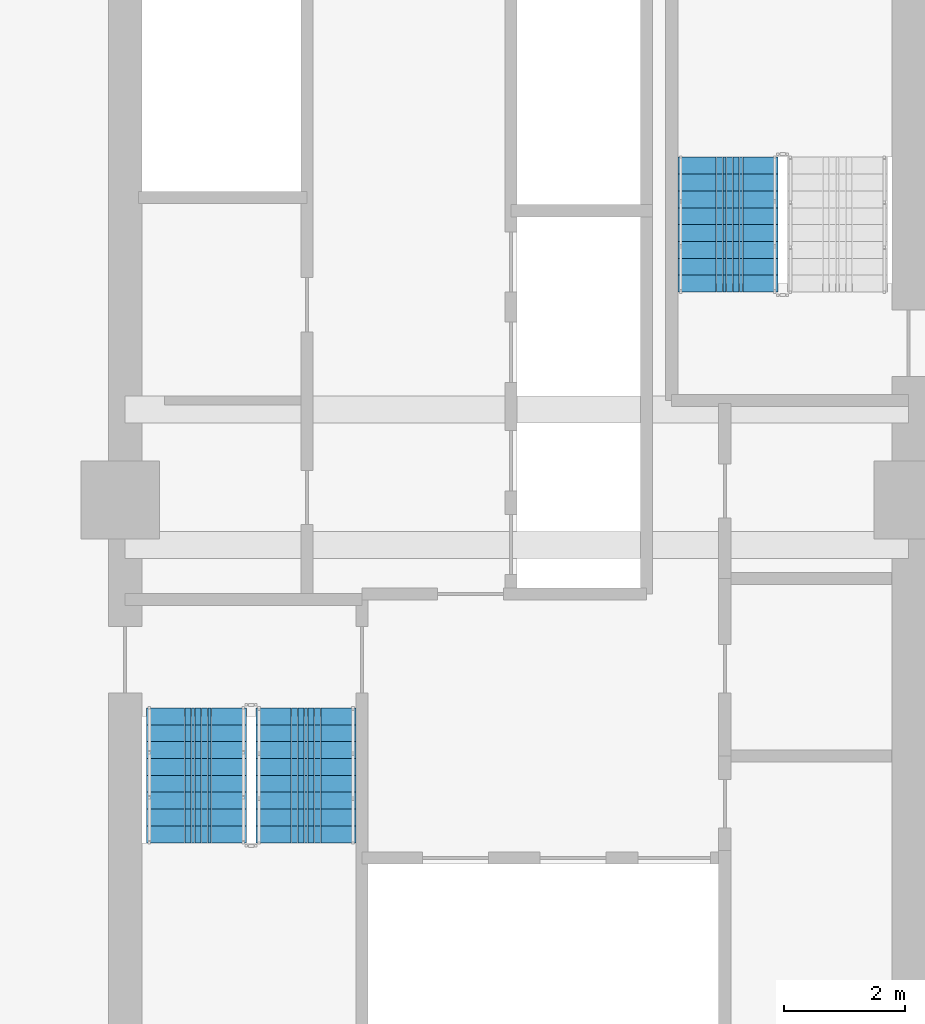
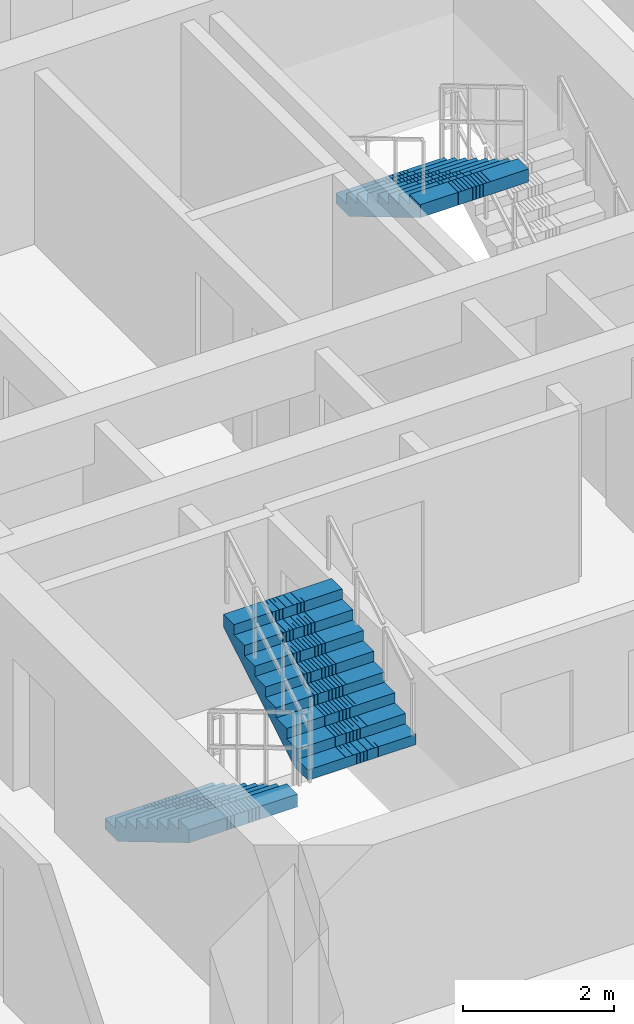
# One storey, part 7 of 12: 3 stair flights, 2 elements without a shape of their own.
"""IFC4 building model written with IfcOpenShell, lengths in metres."""

from ifc_helpers import new_model, si_unit, direction, frame, origin, place, context, subcontext, project, spatial, polyline, outline, extrude, material, type_object, element, aggregate, save


model = new_model("IFC4")

# Units and contexts
model_context = context("Model", 3, precision=1e-05, world=origin(), true_north=direction((0.0, 1.0)))
body_context = subcontext(model_context, "Body", "Model", "MODEL_VIEW")
ifc_project = project(units=[si_unit("LENGTHUNIT", "METRE"), si_unit("AREAUNIT", "SQUARE_METRE"), si_unit("VOLUMEUNIT", "CUBIC_METRE"), si_unit("PLANEANGLEUNIT", "RADIAN"), si_unit("MASSUNIT", "GRAM", prefix="KILO")], contexts=[model_context])

# Site, building, storey
site_placement = place(None, origin())
site = spatial("IfcSite", under=ifc_project, at=site_placement, CompositionType="ELEMENT")
building_placement = place(site_placement, origin())
building = spatial("IfcBuilding", under=site, at=building_placement, Name="Saelheon Loggia Tower", CompositionType="ELEMENT")
storey_placement = place(building_placement, frame((0.0, 0.0, 95.85009765625)))
storey = spatial("IfcBuildingStorey", under=building, at=storey_placement, Name="L30", CompositionType="ELEMENT", Elevation=95.85009765625)

# Stair, stair flights
ifc_material = material(Name="Concrete C40/50", Category="concrete")
stair_type = type_object("IfcStairType", Name="Stair_Escape_Core", PredefinedType="HALF_TURN_STAIR", material=ifc_material)
stair_1_placement = place(storey_placement, origin())
stair_1 = element("IfcStair", 1, at=stair_1_placement, inside=storey, type_object=stair_type, Name="L30 Special Escape Stair ST1", PredefinedType="HALF_TURN_STAIR")
stair_flight_type = type_object("IfcStairFlightType", Name="StairFlight_Tower_1660", PredefinedType="STRAIGHT", material=ifc_material)
stair_flight_1_placement = place(storey_placement, frame((32.679931640625, 23.550048828125, 0.0), z_axis=(0.0, 0.0, 1.0), x_axis=(0.0, -1.0, 0.0)))
stair_flight_1 = element("IfcStairFlight", 2, at=stair_flight_1_placement, type_object=stair_flight_type, Name="ST1 flight 1", NumberOfRisers=9, NumberOfTreads=8, PredefinedType="STRAIGHT", RiserHeight=0.166666667, TreadLength=0.28, context=body_context, shape_type="SweptSolid", body=[
    extrude(outline(polyline([(0.0, 0.0), (0.0, 0.166748046875), (0.280029296875, 0.166748046875), (0.280029296875, 0.333251953125), (0.56005859375, 0.333251953125), (0.56005859375, 0.5), (0.840087890625, 0.5), (0.840087890625, 0.666748046875), (1.1201171875, 0.666748046875), (1.1201171875, 0.833251953125), (1.39990234375, 0.833251953125), (1.39990234375, 1.0), (1.679931640625, 1.0), (1.679931640625, 1.166748046875), (1.9599609375, 1.166748046875), (1.9599609375, 1.333251953125), (2.239990234375, 1.333251953125), (2.239990234375, 1.5), (2.239990234375, 1.1240234375), (0.351806640625, 0.0), (0.0, 0.0)])), frame((0.0, -0.2490234375, 0.0), z_axis=(0.0, -1.0, 0.0), x_axis=(1.0, 0.0, 0.0)), (0.0, 0.0, 1.0), 0.5810546875),
    extrude(outline(polyline([(0.0, 0.0), (0.0, 0.166748046875), (0.280029296875, 0.166748046875), (0.280029296875, 0.333251953125), (0.56005859375, 0.333251953125), (0.56005859375, 0.5), (0.840087890625, 0.5), (0.840087890625, 0.666748046875), (1.1201171875, 0.666748046875), (1.1201171875, 0.833251953125), (1.39990234375, 0.833251953125), (1.39990234375, 1.0), (1.679931640625, 1.0), (1.679931640625, 1.166748046875), (1.9599609375, 1.166748046875), (1.9599609375, 1.333251953125), (2.239990234375, 1.333251953125), (2.239990234375, 1.5), (2.239990234375, 1.1240234375), (0.351806640625, 0.0), (0.0, 0.0)])), frame((0.0, -0.194091796875, 0.0), z_axis=(0.0, -1.0, 0.0), x_axis=(1.0, 0.0, 0.0)), (0.0, 0.0, 1.0), 0.0498046875),
    extrude(outline(polyline([(0.0, 0.0), (0.0, 0.166748046875), (0.280029296875, 0.166748046875), (0.280029296875, 0.333251953125), (0.56005859375, 0.333251953125), (0.56005859375, 0.5), (0.840087890625, 0.5), (0.840087890625, 0.666748046875), (1.1201171875, 0.666748046875), (1.1201171875, 0.833251953125), (1.39990234375, 0.833251953125), (1.39990234375, 1.0), (1.679931640625, 1.0), (1.679931640625, 1.166748046875), (1.9599609375, 1.166748046875), (1.9599609375, 1.333251953125), (2.239990234375, 1.333251953125), (2.239990234375, 1.5), (2.239990234375, 1.1240234375), (0.351806640625, 0.0), (0.0, 0.0)])), frame((0.0, -0.139404296875, 0.0), z_axis=(0.0, -1.0, 0.0), x_axis=(1.0, 0.0, 0.0)), (0.0, 0.0, 1.0), 0.0498046875),
    extrude(outline(polyline([(0.0, 0.0), (0.0, 0.166748046875), (0.280029296875, 0.166748046875), (0.280029296875, 0.333251953125), (0.56005859375, 0.333251953125), (0.56005859375, 0.5), (0.840087890625, 0.5), (0.840087890625, 0.666748046875), (1.1201171875, 0.666748046875), (1.1201171875, 0.833251953125), (1.39990234375, 0.833251953125), (1.39990234375, 1.0), (1.679931640625, 1.0), (1.679931640625, 1.166748046875), (1.9599609375, 1.166748046875), (1.9599609375, 1.333251953125), (2.239990234375, 1.333251953125), (2.239990234375, 1.5), (2.239990234375, 1.1240234375), (0.351806640625, 0.0), (0.0, 0.0)])), frame((0.0, -0.084716796875, 0.0), z_axis=(0.0, -1.0, 0.0), x_axis=(1.0, 0.0, 0.0)), (0.0, 0.0, 1.0), 0.0498046875),
    extrude(outline(polyline([(0.0, 0.0), (0.0, 0.166748046875), (0.280029296875, 0.166748046875), (0.280029296875, 0.333251953125), (0.56005859375, 0.333251953125), (0.56005859375, 0.5), (0.840087890625, 0.5), (0.840087890625, 0.666748046875), (1.1201171875, 0.666748046875), (1.1201171875, 0.833251953125), (1.39990234375, 0.833251953125), (1.39990234375, 1.0), (1.679931640625, 1.0), (1.679931640625, 1.166748046875), (1.9599609375, 1.166748046875), (1.9599609375, 1.333251953125), (2.239990234375, 1.333251953125), (2.239990234375, 1.5), (2.239990234375, 1.1240234375), (0.351806640625, 0.0), (0.0, 0.0)])), frame((0.0, -0.02978515625, 0.0), z_axis=(0.0, -1.0, 0.0), x_axis=(1.0, 0.0, 0.0)), (0.0, 0.0, 1.0), 0.0498046875),
    extrude(outline(polyline([(0.0, 0.0), (0.0, 0.166748046875), (0.280029296875, 0.166748046875), (0.280029296875, 0.333251953125), (0.56005859375, 0.333251953125), (0.56005859375, 0.5), (0.840087890625, 0.5), (0.840087890625, 0.666748046875), (1.1201171875, 0.666748046875), (1.1201171875, 0.833251953125), (1.39990234375, 0.833251953125), (1.39990234375, 1.0), (1.679931640625, 1.0), (1.679931640625, 1.166748046875), (1.9599609375, 1.166748046875), (1.9599609375, 1.333251953125), (2.239990234375, 1.333251953125), (2.239990234375, 1.5), (2.239990234375, 1.1240234375), (0.351806640625, 0.0), (0.0, 0.0)])), frame((0.0, 0.02490234375, 0.0), z_axis=(0.0, -1.0, 0.0), x_axis=(1.0, 0.0, 0.0)), (0.0, 0.0, 1.0), 0.0498046875),
    extrude(outline(polyline([(0.0, 0.0), (0.0, 0.166748046875), (0.280029296875, 0.166748046875), (0.280029296875, 0.333251953125), (0.56005859375, 0.333251953125), (0.56005859375, 0.5), (0.840087890625, 0.5), (0.840087890625, 0.666748046875), (1.1201171875, 0.666748046875), (1.1201171875, 0.833251953125), (1.39990234375, 0.833251953125), (1.39990234375, 1.0), (1.679931640625, 1.0), (1.679931640625, 1.166748046875), (1.9599609375, 1.166748046875), (1.9599609375, 1.333251953125), (2.239990234375, 1.333251953125), (2.239990234375, 1.5), (2.239990234375, 1.1240234375), (0.351806640625, 0.0), (0.0, 0.0)])), frame((0.0, 0.07958984375, 0.0), z_axis=(0.0, -1.0, 0.0), x_axis=(1.0, 0.0, 0.0)), (0.0, 0.0, 1.0), 0.0498046875),
    extrude(outline(polyline([(0.0, 0.0), (0.0, 0.166748046875), (0.280029296875, 0.166748046875), (0.280029296875, 0.333251953125), (0.56005859375, 0.333251953125), (0.56005859375, 0.5), (0.840087890625, 0.5), (0.840087890625, 0.666748046875), (1.1201171875, 0.666748046875), (1.1201171875, 0.833251953125), (1.39990234375, 0.833251953125), (1.39990234375, 1.0), (1.679931640625, 1.0), (1.679931640625, 1.166748046875), (1.9599609375, 1.166748046875), (1.9599609375, 1.333251953125), (2.239990234375, 1.333251953125), (2.239990234375, 1.5), (2.239990234375, 1.1240234375), (0.351806640625, 0.0), (0.0, 0.0)])), frame((0.0, 0.134521484375, 0.0), z_axis=(0.0, -1.0, 0.0), x_axis=(1.0, 0.0, 0.0)), (0.0, 0.0, 1.0), 0.0498046875),
    extrude(outline(polyline([(0.0, 0.0), (0.0, 0.166748046875), (0.280029296875, 0.166748046875), (0.280029296875, 0.333251953125), (0.56005859375, 0.333251953125), (0.56005859375, 0.5), (0.840087890625, 0.5), (0.840087890625, 0.666748046875), (1.1201171875, 0.666748046875), (1.1201171875, 0.833251953125), (1.39990234375, 0.833251953125), (1.39990234375, 1.0), (1.679931640625, 1.0), (1.679931640625, 1.166748046875), (1.9599609375, 1.166748046875), (1.9599609375, 1.333251953125), (2.239990234375, 1.333251953125), (2.239990234375, 1.5), (2.239990234375, 1.1240234375), (0.351806640625, 0.0), (0.0, 0.0)])), frame((0.0, 0.189208984375, 0.0), z_axis=(0.0, -1.0, 0.0), x_axis=(1.0, 0.0, 0.0)), (0.0, 0.0, 1.0), 0.0498046875),
    extrude(outline(polyline([(0.0, 0.0), (0.0, 0.166748046875), (0.280029296875, 0.166748046875), (0.280029296875, 0.333251953125), (0.56005859375, 0.333251953125), (0.56005859375, 0.5), (0.840087890625, 0.5), (0.840087890625, 0.666748046875), (1.1201171875, 0.666748046875), (1.1201171875, 0.833251953125), (1.39990234375, 0.833251953125), (1.39990234375, 1.0), (1.679931640625, 1.0), (1.679931640625, 1.166748046875), (1.9599609375, 1.166748046875), (1.9599609375, 1.333251953125), (2.239990234375, 1.333251953125), (2.239990234375, 1.5), (2.239990234375, 1.1240234375), (0.351806640625, 0.0), (0.0, 0.0)])), frame((0.0, 0.243896484375, 0.0), z_axis=(0.0, -1.0, 0.0), x_axis=(1.0, 0.0, 0.0)), (0.0, 0.0, 1.0), 0.0498046875),
    extrude(outline(polyline([(0.0, 0.0), (0.0, 0.166748046875), (0.280029296875, 0.166748046875), (0.280029296875, 0.333251953125), (0.56005859375, 0.333251953125), (0.56005859375, 0.5), (0.840087890625, 0.5), (0.840087890625, 0.666748046875), (1.1201171875, 0.666748046875), (1.1201171875, 0.833251953125), (1.39990234375, 0.833251953125), (1.39990234375, 1.0), (1.679931640625, 1.0), (1.679931640625, 1.166748046875), (1.9599609375, 1.166748046875), (1.9599609375, 1.333251953125), (2.239990234375, 1.333251953125), (2.239990234375, 1.5), (2.239990234375, 1.1240234375), (0.351806640625, 0.0), (0.0, 0.0)])), frame((0.0, 0.830078125, 0.0), z_axis=(0.0, -1.0, 0.0), x_axis=(1.0, 0.0, 0.0)), (0.0, 0.0, 1.0), 0.5810546875),
])
stair_flight_2_placement = place(storey_placement, frame((34.5, 21.31005859375, 1.5), z_axis=(0.0, 0.0, 1.0), x_axis=(0.0, 1.0, 0.0)))
stair_flight_2 = element("IfcStairFlight", 3, at=stair_flight_2_placement, type_object=stair_flight_type, Name="ST1 flight 2", NumberOfRisers=9, NumberOfTreads=8, PredefinedType="STRAIGHT", RiserHeight=0.166666667, TreadLength=0.28, context=body_context, shape_type="SweptSolid", body=[
    extrude(outline(polyline([(0.0, 0.0), (0.0, 0.166748046875), (0.280029296875, 0.166748046875), (0.280029296875, 0.333251953125), (0.56005859375, 0.333251953125), (0.56005859375, 0.5), (0.840087890625, 0.5), (0.840087890625, 0.666748046875), (1.1201171875, 0.666748046875), (1.1201171875, 0.833251953125), (1.39990234375, 0.833251953125), (1.39990234375, 1.0), (1.679931640625, 1.0), (1.679931640625, 1.166748046875), (1.9599609375, 1.166748046875), (1.9599609375, 1.333251953125), (2.239990234375, 1.333251953125), (2.239990234375, 1.5), (2.239990234375, 1.1240234375), (0.351806640625, 0.0), (0.0, 0.0)])), frame((0.0, -0.2490234375, 0.0), z_axis=(0.0, -1.0, 0.0), x_axis=(1.0, 0.0, 0.0)), (0.0, 0.0, 1.0), 0.5810546875),
    extrude(outline(polyline([(0.0, 0.0), (0.0, 0.166748046875), (0.280029296875, 0.166748046875), (0.280029296875, 0.333251953125), (0.56005859375, 0.333251953125), (0.56005859375, 0.5), (0.840087890625, 0.5), (0.840087890625, 0.666748046875), (1.1201171875, 0.666748046875), (1.1201171875, 0.833251953125), (1.39990234375, 0.833251953125), (1.39990234375, 1.0), (1.679931640625, 1.0), (1.679931640625, 1.166748046875), (1.9599609375, 1.166748046875), (1.9599609375, 1.333251953125), (2.239990234375, 1.333251953125), (2.239990234375, 1.5), (2.239990234375, 1.1240234375), (0.351806640625, 0.0), (0.0, 0.0)])), frame((0.0, -0.194091796875, 0.0), z_axis=(0.0, -1.0, 0.0), x_axis=(1.0, 0.0, 0.0)), (0.0, 0.0, 1.0), 0.0498046875),
    extrude(outline(polyline([(0.0, 0.0), (0.0, 0.166748046875), (0.280029296875, 0.166748046875), (0.280029296875, 0.333251953125), (0.56005859375, 0.333251953125), (0.56005859375, 0.5), (0.840087890625, 0.5), (0.840087890625, 0.666748046875), (1.1201171875, 0.666748046875), (1.1201171875, 0.833251953125), (1.39990234375, 0.833251953125), (1.39990234375, 1.0), (1.679931640625, 1.0), (1.679931640625, 1.166748046875), (1.9599609375, 1.166748046875), (1.9599609375, 1.333251953125), (2.239990234375, 1.333251953125), (2.239990234375, 1.5), (2.239990234375, 1.1240234375), (0.351806640625, 0.0), (0.0, 0.0)])), frame((0.0, -0.139404296875, 0.0), z_axis=(0.0, -1.0, 0.0), x_axis=(1.0, 0.0, 0.0)), (0.0, 0.0, 1.0), 0.0498046875),
    extrude(outline(polyline([(0.0, 0.0), (0.0, 0.166748046875), (0.280029296875, 0.166748046875), (0.280029296875, 0.333251953125), (0.56005859375, 0.333251953125), (0.56005859375, 0.5), (0.840087890625, 0.5), (0.840087890625, 0.666748046875), (1.1201171875, 0.666748046875), (1.1201171875, 0.833251953125), (1.39990234375, 0.833251953125), (1.39990234375, 1.0), (1.679931640625, 1.0), (1.679931640625, 1.166748046875), (1.9599609375, 1.166748046875), (1.9599609375, 1.333251953125), (2.239990234375, 1.333251953125), (2.239990234375, 1.5), (2.239990234375, 1.1240234375), (0.351806640625, 0.0), (0.0, 0.0)])), frame((0.0, -0.084716796875, 0.0), z_axis=(0.0, -1.0, 0.0), x_axis=(1.0, 0.0, 0.0)), (0.0, 0.0, 1.0), 0.0498046875),
    extrude(outline(polyline([(0.0, 0.0), (0.0, 0.166748046875), (0.280029296875, 0.166748046875), (0.280029296875, 0.333251953125), (0.56005859375, 0.333251953125), (0.56005859375, 0.5), (0.840087890625, 0.5), (0.840087890625, 0.666748046875), (1.1201171875, 0.666748046875), (1.1201171875, 0.833251953125), (1.39990234375, 0.833251953125), (1.39990234375, 1.0), (1.679931640625, 1.0), (1.679931640625, 1.166748046875), (1.9599609375, 1.166748046875), (1.9599609375, 1.333251953125), (2.239990234375, 1.333251953125), (2.239990234375, 1.5), (2.239990234375, 1.1240234375), (0.351806640625, 0.0), (0.0, 0.0)])), frame((0.0, -0.02978515625, 0.0), z_axis=(0.0, -1.0, 0.0), x_axis=(1.0, 0.0, 0.0)), (0.0, 0.0, 1.0), 0.0498046875),
    extrude(outline(polyline([(0.0, 0.0), (0.0, 0.166748046875), (0.280029296875, 0.166748046875), (0.280029296875, 0.333251953125), (0.56005859375, 0.333251953125), (0.56005859375, 0.5), (0.840087890625, 0.5), (0.840087890625, 0.666748046875), (1.1201171875, 0.666748046875), (1.1201171875, 0.833251953125), (1.39990234375, 0.833251953125), (1.39990234375, 1.0), (1.679931640625, 1.0), (1.679931640625, 1.166748046875), (1.9599609375, 1.166748046875), (1.9599609375, 1.333251953125), (2.239990234375, 1.333251953125), (2.239990234375, 1.5), (2.239990234375, 1.1240234375), (0.351806640625, 0.0), (0.0, 0.0)])), frame((0.0, 0.02490234375, 0.0), z_axis=(0.0, -1.0, 0.0), x_axis=(1.0, 0.0, 0.0)), (0.0, 0.0, 1.0), 0.0498046875),
    extrude(outline(polyline([(0.0, 0.0), (0.0, 0.166748046875), (0.280029296875, 0.166748046875), (0.280029296875, 0.333251953125), (0.56005859375, 0.333251953125), (0.56005859375, 0.5), (0.840087890625, 0.5), (0.840087890625, 0.666748046875), (1.1201171875, 0.666748046875), (1.1201171875, 0.833251953125), (1.39990234375, 0.833251953125), (1.39990234375, 1.0), (1.679931640625, 1.0), (1.679931640625, 1.166748046875), (1.9599609375, 1.166748046875), (1.9599609375, 1.333251953125), (2.239990234375, 1.333251953125), (2.239990234375, 1.5), (2.239990234375, 1.1240234375), (0.351806640625, 0.0), (0.0, 0.0)])), frame((0.0, 0.07958984375, 0.0), z_axis=(0.0, -1.0, 0.0), x_axis=(1.0, 0.0, 0.0)), (0.0, 0.0, 1.0), 0.0498046875),
    extrude(outline(polyline([(0.0, 0.0), (0.0, 0.166748046875), (0.280029296875, 0.166748046875), (0.280029296875, 0.333251953125), (0.56005859375, 0.333251953125), (0.56005859375, 0.5), (0.840087890625, 0.5), (0.840087890625, 0.666748046875), (1.1201171875, 0.666748046875), (1.1201171875, 0.833251953125), (1.39990234375, 0.833251953125), (1.39990234375, 1.0), (1.679931640625, 1.0), (1.679931640625, 1.166748046875), (1.9599609375, 1.166748046875), (1.9599609375, 1.333251953125), (2.239990234375, 1.333251953125), (2.239990234375, 1.5), (2.239990234375, 1.1240234375), (0.351806640625, 0.0), (0.0, 0.0)])), frame((0.0, 0.134521484375, 0.0), z_axis=(0.0, -1.0, 0.0), x_axis=(1.0, 0.0, 0.0)), (0.0, 0.0, 1.0), 0.0498046875),
    extrude(outline(polyline([(0.0, 0.0), (0.0, 0.166748046875), (0.280029296875, 0.166748046875), (0.280029296875, 0.333251953125), (0.56005859375, 0.333251953125), (0.56005859375, 0.5), (0.840087890625, 0.5), (0.840087890625, 0.666748046875), (1.1201171875, 0.666748046875), (1.1201171875, 0.833251953125), (1.39990234375, 0.833251953125), (1.39990234375, 1.0), (1.679931640625, 1.0), (1.679931640625, 1.166748046875), (1.9599609375, 1.166748046875), (1.9599609375, 1.333251953125), (2.239990234375, 1.333251953125), (2.239990234375, 1.5), (2.239990234375, 1.1240234375), (0.351806640625, 0.0), (0.0, 0.0)])), frame((0.0, 0.189208984375, 0.0), z_axis=(0.0, -1.0, 0.0), x_axis=(1.0, 0.0, 0.0)), (0.0, 0.0, 1.0), 0.0498046875),
    extrude(outline(polyline([(0.0, 0.0), (0.0, 0.166748046875), (0.280029296875, 0.166748046875), (0.280029296875, 0.333251953125), (0.56005859375, 0.333251953125), (0.56005859375, 0.5), (0.840087890625, 0.5), (0.840087890625, 0.666748046875), (1.1201171875, 0.666748046875), (1.1201171875, 0.833251953125), (1.39990234375, 0.833251953125), (1.39990234375, 1.0), (1.679931640625, 1.0), (1.679931640625, 1.166748046875), (1.9599609375, 1.166748046875), (1.9599609375, 1.333251953125), (2.239990234375, 1.333251953125), (2.239990234375, 1.5), (2.239990234375, 1.1240234375), (0.351806640625, 0.0), (0.0, 0.0)])), frame((0.0, 0.243896484375, 0.0), z_axis=(0.0, -1.0, 0.0), x_axis=(1.0, 0.0, 0.0)), (0.0, 0.0, 1.0), 0.0498046875),
    extrude(outline(polyline([(0.0, 0.0), (0.0, 0.166748046875), (0.280029296875, 0.166748046875), (0.280029296875, 0.333251953125), (0.56005859375, 0.333251953125), (0.56005859375, 0.5), (0.840087890625, 0.5), (0.840087890625, 0.666748046875), (1.1201171875, 0.666748046875), (1.1201171875, 0.833251953125), (1.39990234375, 0.833251953125), (1.39990234375, 1.0), (1.679931640625, 1.0), (1.679931640625, 1.166748046875), (1.9599609375, 1.166748046875), (1.9599609375, 1.333251953125), (2.239990234375, 1.333251953125), (2.239990234375, 1.5), (2.239990234375, 1.1240234375), (0.351806640625, 0.0), (0.0, 0.0)])), frame((0.0, 0.830078125, 0.0), z_axis=(0.0, -1.0, 0.0), x_axis=(1.0, 0.0, 0.0)), (0.0, 0.0, 1.0), 0.5810546875),
])
aggregate(stair_1, [stair_flight_1, stair_flight_2])

# Stair, stair flight
stair_2_placement = place(storey_placement, origin())
stair_2 = element("IfcStair", 4, at=stair_2_placement, inside=storey, type_object=stair_type, Name="L30 Special Escape Stair ST2", PredefinedType="HALF_TURN_STAIR")
stair_flight_3_placement = place(storey_placement, frame((41.5, 32.68994140625, 1.5), z_axis=(0.0, 0.0, 1.0), x_axis=(0.0, -1.0, 0.0)))
stair_flight_3 = element("IfcStairFlight", 5, at=stair_flight_3_placement, type_object=stair_flight_type, Name="ST2 flight 2", NumberOfRisers=9, NumberOfTreads=8, PredefinedType="STRAIGHT", RiserHeight=0.166666667, TreadLength=0.28, context=body_context, shape_type="SweptSolid", body=[
    extrude(outline(polyline([(0.0, 0.0), (0.0, 0.166748046875), (0.280029296875, 0.166748046875), (0.280029296875, 0.333251953125), (0.56005859375, 0.333251953125), (0.56005859375, 0.5), (0.840087890625, 0.5), (0.840087890625, 0.666748046875), (1.1201171875, 0.666748046875), (1.1201171875, 0.833251953125), (1.39990234375, 0.833251953125), (1.39990234375, 1.0), (1.679931640625, 1.0), (1.679931640625, 1.166748046875), (1.9599609375, 1.166748046875), (1.9599609375, 1.333251953125), (2.239990234375, 1.333251953125), (2.239990234375, 1.5), (2.239990234375, 1.1240234375), (0.351806640625, 0.0), (0.0, 0.0)])), frame((0.0, -0.2490234375, 0.0), z_axis=(0.0, -1.0, 0.0), x_axis=(1.0, 0.0, 0.0)), (0.0, 0.0, 1.0), 0.5810546875),
    extrude(outline(polyline([(0.0, 0.0), (0.0, 0.166748046875), (0.280029296875, 0.166748046875), (0.280029296875, 0.333251953125), (0.56005859375, 0.333251953125), (0.56005859375, 0.5), (0.840087890625, 0.5), (0.840087890625, 0.666748046875), (1.1201171875, 0.666748046875), (1.1201171875, 0.833251953125), (1.39990234375, 0.833251953125), (1.39990234375, 1.0), (1.679931640625, 1.0), (1.679931640625, 1.166748046875), (1.9599609375, 1.166748046875), (1.9599609375, 1.333251953125), (2.239990234375, 1.333251953125), (2.239990234375, 1.5), (2.239990234375, 1.1240234375), (0.351806640625, 0.0), (0.0, 0.0)])), frame((0.0, -0.194091796875, 0.0), z_axis=(0.0, -1.0, 0.0), x_axis=(1.0, 0.0, 0.0)), (0.0, 0.0, 1.0), 0.0498046875),
    extrude(outline(polyline([(0.0, 0.0), (0.0, 0.166748046875), (0.280029296875, 0.166748046875), (0.280029296875, 0.333251953125), (0.56005859375, 0.333251953125), (0.56005859375, 0.5), (0.840087890625, 0.5), (0.840087890625, 0.666748046875), (1.1201171875, 0.666748046875), (1.1201171875, 0.833251953125), (1.39990234375, 0.833251953125), (1.39990234375, 1.0), (1.679931640625, 1.0), (1.679931640625, 1.166748046875), (1.9599609375, 1.166748046875), (1.9599609375, 1.333251953125), (2.239990234375, 1.333251953125), (2.239990234375, 1.5), (2.239990234375, 1.1240234375), (0.351806640625, 0.0), (0.0, 0.0)])), frame((0.0, -0.139404296875, 0.0), z_axis=(0.0, -1.0, 0.0), x_axis=(1.0, 0.0, 0.0)), (0.0, 0.0, 1.0), 0.0498046875),
    extrude(outline(polyline([(0.0, 0.0), (0.0, 0.166748046875), (0.280029296875, 0.166748046875), (0.280029296875, 0.333251953125), (0.56005859375, 0.333251953125), (0.56005859375, 0.5), (0.840087890625, 0.5), (0.840087890625, 0.666748046875), (1.1201171875, 0.666748046875), (1.1201171875, 0.833251953125), (1.39990234375, 0.833251953125), (1.39990234375, 1.0), (1.679931640625, 1.0), (1.679931640625, 1.166748046875), (1.9599609375, 1.166748046875), (1.9599609375, 1.333251953125), (2.239990234375, 1.333251953125), (2.239990234375, 1.5), (2.239990234375, 1.1240234375), (0.351806640625, 0.0), (0.0, 0.0)])), frame((0.0, -0.084716796875, 0.0), z_axis=(0.0, -1.0, 0.0), x_axis=(1.0, 0.0, 0.0)), (0.0, 0.0, 1.0), 0.0498046875),
    extrude(outline(polyline([(0.0, 0.0), (0.0, 0.166748046875), (0.280029296875, 0.166748046875), (0.280029296875, 0.333251953125), (0.56005859375, 0.333251953125), (0.56005859375, 0.5), (0.840087890625, 0.5), (0.840087890625, 0.666748046875), (1.1201171875, 0.666748046875), (1.1201171875, 0.833251953125), (1.39990234375, 0.833251953125), (1.39990234375, 1.0), (1.679931640625, 1.0), (1.679931640625, 1.166748046875), (1.9599609375, 1.166748046875), (1.9599609375, 1.333251953125), (2.239990234375, 1.333251953125), (2.239990234375, 1.5), (2.239990234375, 1.1240234375), (0.351806640625, 0.0), (0.0, 0.0)])), frame((0.0, -0.02978515625, 0.0), z_axis=(0.0, -1.0, 0.0), x_axis=(1.0, 0.0, 0.0)), (0.0, 0.0, 1.0), 0.0498046875),
    extrude(outline(polyline([(0.0, 0.0), (0.0, 0.166748046875), (0.280029296875, 0.166748046875), (0.280029296875, 0.333251953125), (0.56005859375, 0.333251953125), (0.56005859375, 0.5), (0.840087890625, 0.5), (0.840087890625, 0.666748046875), (1.1201171875, 0.666748046875), (1.1201171875, 0.833251953125), (1.39990234375, 0.833251953125), (1.39990234375, 1.0), (1.679931640625, 1.0), (1.679931640625, 1.166748046875), (1.9599609375, 1.166748046875), (1.9599609375, 1.333251953125), (2.239990234375, 1.333251953125), (2.239990234375, 1.5), (2.239990234375, 1.1240234375), (0.351806640625, 0.0), (0.0, 0.0)])), frame((0.0, 0.02490234375, 0.0), z_axis=(0.0, -1.0, 0.0), x_axis=(1.0, 0.0, 0.0)), (0.0, 0.0, 1.0), 0.0498046875),
    extrude(outline(polyline([(0.0, 0.0), (0.0, 0.166748046875), (0.280029296875, 0.166748046875), (0.280029296875, 0.333251953125), (0.56005859375, 0.333251953125), (0.56005859375, 0.5), (0.840087890625, 0.5), (0.840087890625, 0.666748046875), (1.1201171875, 0.666748046875), (1.1201171875, 0.833251953125), (1.39990234375, 0.833251953125), (1.39990234375, 1.0), (1.679931640625, 1.0), (1.679931640625, 1.166748046875), (1.9599609375, 1.166748046875), (1.9599609375, 1.333251953125), (2.239990234375, 1.333251953125), (2.239990234375, 1.5), (2.239990234375, 1.1240234375), (0.351806640625, 0.0), (0.0, 0.0)])), frame((0.0, 0.07958984375, 0.0), z_axis=(0.0, -1.0, 0.0), x_axis=(1.0, 0.0, 0.0)), (0.0, 0.0, 1.0), 0.0498046875),
    extrude(outline(polyline([(0.0, 0.0), (0.0, 0.166748046875), (0.280029296875, 0.166748046875), (0.280029296875, 0.333251953125), (0.56005859375, 0.333251953125), (0.56005859375, 0.5), (0.840087890625, 0.5), (0.840087890625, 0.666748046875), (1.1201171875, 0.666748046875), (1.1201171875, 0.833251953125), (1.39990234375, 0.833251953125), (1.39990234375, 1.0), (1.679931640625, 1.0), (1.679931640625, 1.166748046875), (1.9599609375, 1.166748046875), (1.9599609375, 1.333251953125), (2.239990234375, 1.333251953125), (2.239990234375, 1.5), (2.239990234375, 1.1240234375), (0.351806640625, 0.0), (0.0, 0.0)])), frame((0.0, 0.134521484375, 0.0), z_axis=(0.0, -1.0, 0.0), x_axis=(1.0, 0.0, 0.0)), (0.0, 0.0, 1.0), 0.0498046875),
    extrude(outline(polyline([(0.0, 0.0), (0.0, 0.166748046875), (0.280029296875, 0.166748046875), (0.280029296875, 0.333251953125), (0.56005859375, 0.333251953125), (0.56005859375, 0.5), (0.840087890625, 0.5), (0.840087890625, 0.666748046875), (1.1201171875, 0.666748046875), (1.1201171875, 0.833251953125), (1.39990234375, 0.833251953125), (1.39990234375, 1.0), (1.679931640625, 1.0), (1.679931640625, 1.166748046875), (1.9599609375, 1.166748046875), (1.9599609375, 1.333251953125), (2.239990234375, 1.333251953125), (2.239990234375, 1.5), (2.239990234375, 1.1240234375), (0.351806640625, 0.0), (0.0, 0.0)])), frame((0.0, 0.189208984375, 0.0), z_axis=(0.0, -1.0, 0.0), x_axis=(1.0, 0.0, 0.0)), (0.0, 0.0, 1.0), 0.0498046875),
    extrude(outline(polyline([(0.0, 0.0), (0.0, 0.166748046875), (0.280029296875, 0.166748046875), (0.280029296875, 0.333251953125), (0.56005859375, 0.333251953125), (0.56005859375, 0.5), (0.840087890625, 0.5), (0.840087890625, 0.666748046875), (1.1201171875, 0.666748046875), (1.1201171875, 0.833251953125), (1.39990234375, 0.833251953125), (1.39990234375, 1.0), (1.679931640625, 1.0), (1.679931640625, 1.166748046875), (1.9599609375, 1.166748046875), (1.9599609375, 1.333251953125), (2.239990234375, 1.333251953125), (2.239990234375, 1.5), (2.239990234375, 1.1240234375), (0.351806640625, 0.0), (0.0, 0.0)])), frame((0.0, 0.243896484375, 0.0), z_axis=(0.0, -1.0, 0.0), x_axis=(1.0, 0.0, 0.0)), (0.0, 0.0, 1.0), 0.0498046875),
    extrude(outline(polyline([(0.0, 0.0), (0.0, 0.166748046875), (0.280029296875, 0.166748046875), (0.280029296875, 0.333251953125), (0.56005859375, 0.333251953125), (0.56005859375, 0.5), (0.840087890625, 0.5), (0.840087890625, 0.666748046875), (1.1201171875, 0.666748046875), (1.1201171875, 0.833251953125), (1.39990234375, 0.833251953125), (1.39990234375, 1.0), (1.679931640625, 1.0), (1.679931640625, 1.166748046875), (1.9599609375, 1.166748046875), (1.9599609375, 1.333251953125), (2.239990234375, 1.333251953125), (2.239990234375, 1.5), (2.239990234375, 1.1240234375), (0.351806640625, 0.0), (0.0, 0.0)])), frame((0.0, 0.830078125, 0.0), z_axis=(0.0, -1.0, 0.0), x_axis=(1.0, 0.0, 0.0)), (0.0, 0.0, 1.0), 0.5810546875),
])
aggregate(stair_2, [stair_flight_3])

save(model, "model.ifc")
